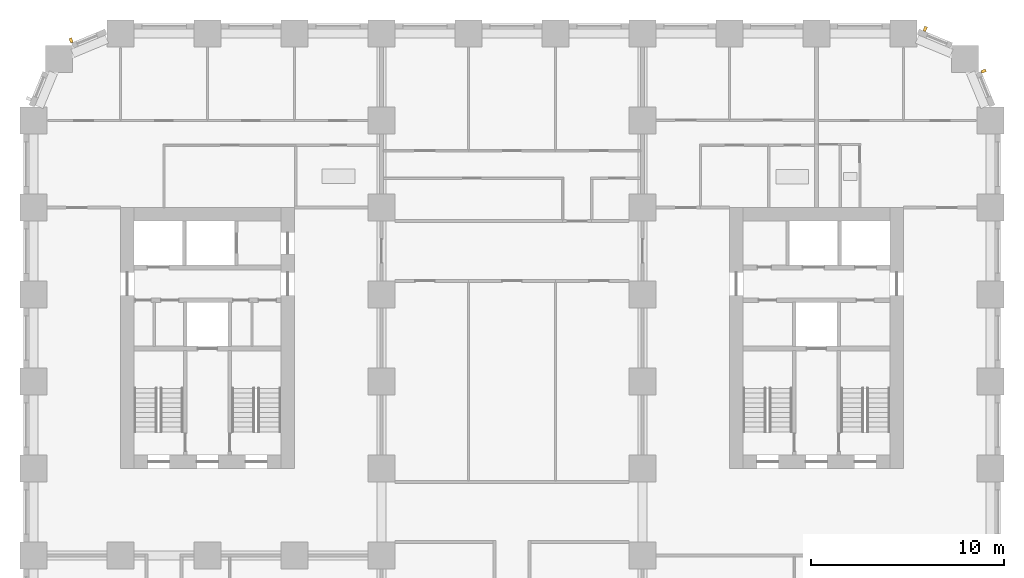
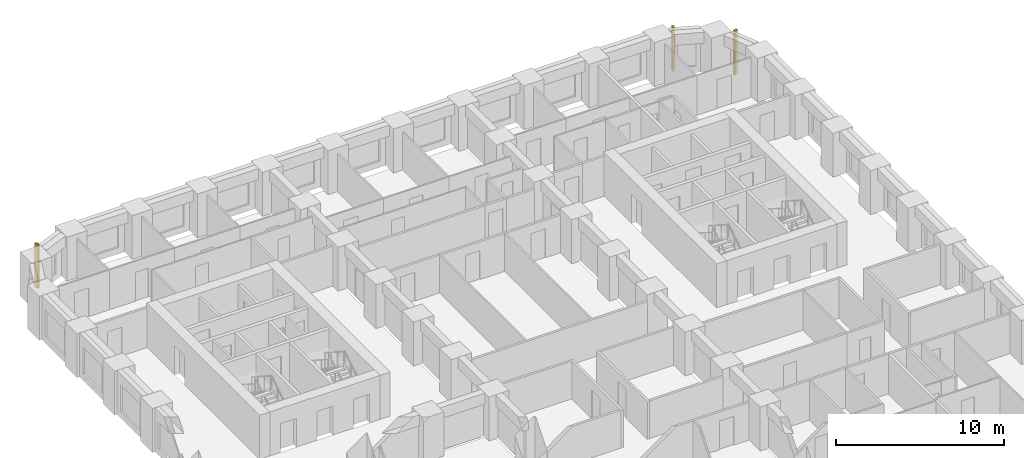
# One storey, part 12 of 13: 3 shading devices.
"""IFC4 building model written with IfcOpenShell, lengths in metres."""

import ifcopenshell
import ifcopenshell.guid

model = None  # the IFC model being written
_history = None  # IfcOwnerHistory: only IFC2X3 demands one
_inside = {}  # id of a spatial element -> (the spatial element, [elements in it])
_under = {}  # id of a project, library or spatial element -> (it, [spatial elements below it])
_declared = {}  # id of a project -> (the project, [libraries it declares])
_typed = {}  # id of a type object -> (the type object, [elements of that type])
_made_of = {}  # id of a material, layer set ... -> (it, [elements and type objects made of it])


def new_model(schema):
    """Start an empty IFC model of exactly this schema.

    Asked for "IFC4X3", IfcOpenShell would pick the latest addendum, in which some entities
    have other attributes; the version numbers below select the first issue.
    IFC2X3 requires an IfcOwnerHistory on every rooted entity: one is made here for all.
    """
    global model, _history
    if schema == "IFC4X3":
        model = ifcopenshell.file(schema_version=(4, 3, 0, 0))
    else:
        model = ifcopenshell.file(schema=schema)
    _inside.clear()
    _under.clear()
    _declared.clear()
    _typed.clear()
    _made_of.clear()
    _history = None
    if model.schema == "IFC2X3":
        org = make("IfcOrganization", Name="unknown")
        user = make(
            "IfcPersonAndOrganization",
            ThePerson=make("IfcPerson", FamilyName="unknown"),
            TheOrganization=org,
        )
        app = make(
            "IfcApplication",
            ApplicationDeveloper=org,
            Version="unknown",
            ApplicationFullName="unknown",
            ApplicationIdentifier="unknown",
        )
        _history = make(
            "IfcOwnerHistory",
            OwningUser=user,
            OwningApplication=app,
            ChangeAction="ADDED",
            CreationDate=0,
        )
    return model


def make(cls, **values):
    """One entity of the class cls with the attributes given. An attribute that is None is left unset."""
    return model.create_entity(
        cls, **{name: value for name, value in values.items() if value is not None}
    )


def rooted(cls, **values):
    """An entity with a GlobalId (a new one), such as an element, a storey or a relation."""
    return make(cls, GlobalId=ifcopenshell.guid.new(), OwnerHistory=_history, **values)


def si_unit(unit_type, name, prefix=None):
    """IfcSIUnit, for example si_unit("LENGTHUNIT", "METRE", prefix="MILLI")."""
    return make("IfcSIUnit", UnitType=unit_type, Prefix=prefix, Name=name)


def assignment(units):
    """IfcUnitAssignment: the units of a project."""
    return None if units is None else make("IfcUnitAssignment", Units=units)


def point(xyz):
    """IfcCartesianPoint."""
    return None if xyz is None else make("IfcCartesianPoint", Coordinates=xyz)


def direction(xyz):
    """IfcDirection."""
    return None if xyz is None else make("IfcDirection", DirectionRatios=xyz)


def frame(location, z_axis=None, x_axis=None):
    """IfcAxis2Placement3D, a coordinate frame: its origin and axes. An axis left out is left unset."""
    return make(
        "IfcAxis2Placement3D",
        Location=point(location),
        Axis=direction(z_axis),
        RefDirection=direction(x_axis),
    )


def frame_2d(location, x_axis=None):
    """IfcAxis2Placement2D, a coordinate frame in the plane: its origin and x axis."""
    return make(
        "IfcAxis2Placement2D", Location=point(location), RefDirection=direction(x_axis)
    )


def origin():
    """The frame at (0, 0, 0) with its axes left unset."""
    return frame((0.0, 0.0, 0.0))


def origin_2d():
    """The frame at (0, 0) in the plane with its x axis left unset."""
    return frame_2d((0.0, 0.0))


def place(relative_to, where):
    """IfcLocalPlacement: puts the frame where relative to a parent placement (None: the world)."""
    return make(
        "IfcLocalPlacement", PlacementRelTo=relative_to, RelativePlacement=where
    )


def context(
    kind, dimensions, precision=None, world=None, true_north=None, identifier=None
):
    """IfcGeometricRepresentationContext, for example the 3D "Model" context."""
    return make(
        "IfcGeometricRepresentationContext",
        ContextIdentifier=identifier,
        ContextType=kind,
        CoordinateSpaceDimension=dimensions,
        Precision=precision,
        WorldCoordinateSystem=world,
        TrueNorth=true_north,
    )


def subcontext(parent, identifier, kind, view, scale=None):
    """IfcGeometricRepresentationSubContext, for example "Body" below "Model"."""
    return make(
        "IfcGeometricRepresentationSubContext",
        ContextIdentifier=identifier,
        ContextType=kind,
        ParentContext=parent,
        TargetScale=scale,
        TargetView=view,
    )


def project(units=None, contexts=None):
    """IfcProject with its units and contexts."""
    return rooted(
        "IfcProject",
        Name="project",
        RepresentationContexts=contexts,
        UnitsInContext=assignment(units),
    )


def spatial(cls, under=None, at=None, **own):
    """A site, building, storey or space (cls), placed at a placement, below another one or the project."""
    s = rooted(cls, ObjectPlacement=at, **own)
    if under is not None:
        _under.setdefault(under.id(), (under, []))[1].append(s)
    return s


def profile(cls, at=None, kind="AREA", **sizes):
    """A parametric profile (cls). Its sizes go by their IFC names, for example OverallWidth=200.0."""
    return make(cls, ProfileType=kind, Position=at, **sizes)


def rectangle(**sizes):
    """IfcRectangleProfileDef."""
    return profile("IfcRectangleProfileDef", **sizes)


def extrude(swept, where, along, depth):
    """IfcExtrudedAreaSolid: the profile swept, set in the frame where, extruded along a direction by depth."""
    return make(
        "IfcExtrudedAreaSolid",
        SweptArea=swept,
        Position=where,
        ExtrudedDirection=direction(along),
        Depth=depth,
    )


def shape(context_of_items, identifier, shape_type, items):
    """IfcShapeRepresentation: the items that make up one representation, for example the "Body"."""
    return make(
        "IfcShapeRepresentation",
        ContextOfItems=context_of_items,
        RepresentationIdentifier=identifier,
        RepresentationType=shape_type,
        Items=items,
    )


def material(Name=None, Category=None):
    """IfcMaterial."""
    return make("IfcMaterial", Name=Name, Category=Category)


def made_of(thing, what):
    """Note that an element or type object is made of a material, layer set ...; save() writes the relation."""
    if what is not None:
        _made_of.setdefault(what.id(), (what, []))[1].append(thing)
    return thing


def type_object(cls, material=None, **own):
    """A type object (cls), such as IfcWallType, which elements share."""
    return made_of(rooted(cls, **own), material)


def element(
    cls,
    number,
    at=None,
    inside=None,
    cuts=None,
    type_object=None,
    material=None,
    context=None,
    identifier="Body",
    shape_type=None,
    held_by="IfcProductDefinitionShape",
    body=None,
    shapes=None,
    **own,
):
    """One element of the class cls, such as IfcWall. Its Tag is "e" and its number.

    at: its placement. inside: the storey or other place that contains it. cuts: it is an
    opening in that element (IfcRelVoidsElement). A single representation is given by context,
    identifier, shape_type and body (its items); several are given by shapes. held_by: the class
    of the entity that holds the representations. save() writes the other relations.
    """
    e = rooted(cls, Tag="e%d" % number, ObjectPlacement=at, **own)
    if body is not None:
        shapes = [shape(context, identifier, shape_type, body)]
    if shapes is not None:
        e.Representation = make(held_by, Representations=shapes)
    if inside is not None:
        _inside.setdefault(inside.id(), (inside, []))[1].append(e)
    if cuts is not None:
        rooted(
            "IfcRelVoidsElement", RelatingBuildingElement=cuts, RelatedOpeningElement=e
        )
    if type_object is not None:
        _typed.setdefault(type_object.id(), (type_object, []))[1].append(e)
    return made_of(e, material)


def aggregate(whole, parts):
    """IfcRelAggregates: a whole, such as a stair, and the parts it consists of."""
    return rooted("IfcRelAggregates", RelatingObject=whole, RelatedObjects=parts)


def save(model, path):
    """Write the relations noted so far, then the file.

    IfcRelAggregates (storeys below a building ...), IfcRelContainedInSpatialStructure (elements
    in a storey), IfcRelDefinesByType, IfcRelAssociatesMaterial and IfcRelDeclares: one each for
    every whole, place, type object, material and project.
    """
    for whole, parts in _under.values():
        aggregate(whole, parts)
    for where, things in _inside.values():
        rooted(
            "IfcRelContainedInSpatialStructure",
            RelatedElements=things,
            RelatingStructure=where,
        )
    for kind, things in _typed.values():
        rooted("IfcRelDefinesByType", RelatedObjects=things, RelatingType=kind)
    for what, things in _made_of.values():
        rooted("IfcRelAssociatesMaterial", RelatedObjects=things, RelatingMaterial=what)
    for by, libraries in _declared.values():
        rooted("IfcRelDeclares", RelatingContext=by, RelatedDefinitions=libraries)
    model.write(path)


model = new_model("IFC4")

# Units and contexts
model_context = context("Model", 3, precision=1e-05, world=origin(), true_north=direction((0.0, 1.0)))
body_context = subcontext(model_context, "Body", "Model", "MODEL_VIEW")
ifc_project = project(units=[si_unit("LENGTHUNIT", "METRE"), si_unit("AREAUNIT", "SQUARE_METRE"), si_unit("VOLUMEUNIT", "CUBIC_METRE"), si_unit("PLANEANGLEUNIT", "RADIAN"), si_unit("MASSUNIT", "GRAM", prefix="KILO")], contexts=[model_context])

# Site, building, storey
site_placement = place(None, origin())
site = spatial("IfcSite", under=ifc_project, at=site_placement, CompositionType="ELEMENT")
building_placement = place(site_placement, origin())
building = spatial("IfcBuilding", under=site, at=building_placement, Name="Girih Gate Residences", CompositionType="ELEMENT")
storey_placement = place(building_placement, frame((0.0, 0.0, 46.39990234375)))
storey = spatial("IfcBuildingStorey", under=building, at=storey_placement, Name="L11", CompositionType="ELEMENT", Elevation=46.39990234375)

# Shading devices
ifc_material = material(Name="Precast concrete C50/60", Category="concrete")
shading_device_type = type_object("IfcShadingDeviceType", Name="Corner rib 150x250", PredefinedType="USERDEFINED", material=ifc_material)
for number, where, z_axis, x_axis, name in (
    (1, (49.14501953125, 47.5556640625, 0.0), (0.0, 0.0, 1.0), (-0.382683432365, 0.923879532511, 0.0), "Corner rib NE0495_0450.0"),
    (2, (46.123779296875, 49.738037109375, 0.0), (0.0, 0.0, 1.0), (-0.923879532511, 0.382683432365, 0.0), "Corner rib NE0482_0482.0"),
    (3, (1.9443359375, 49.14501953125, 0.0), (0.0, 0.0, 1.0), (-0.923879532511, -0.382683432365, 0.0), "Corner rib NW0045_0495.0"),
):
    element("IfcShadingDevice", number, at=place(storey_placement, frame(where, z_axis=z_axis, x_axis=x_axis)), inside=storey, type_object=shading_device_type, Name=name, ObjectType="FIN", PredefinedType="USERDEFINED", context=body_context, shape_type="SweptSolid", body=[
        extrude(rectangle(XDim=0.14990234375, YDim=0.25, at=origin_2d()), origin(), (0.0, 0.0, 1.0), 3.199951171875),
    ])

save(model, "model.ifc")
